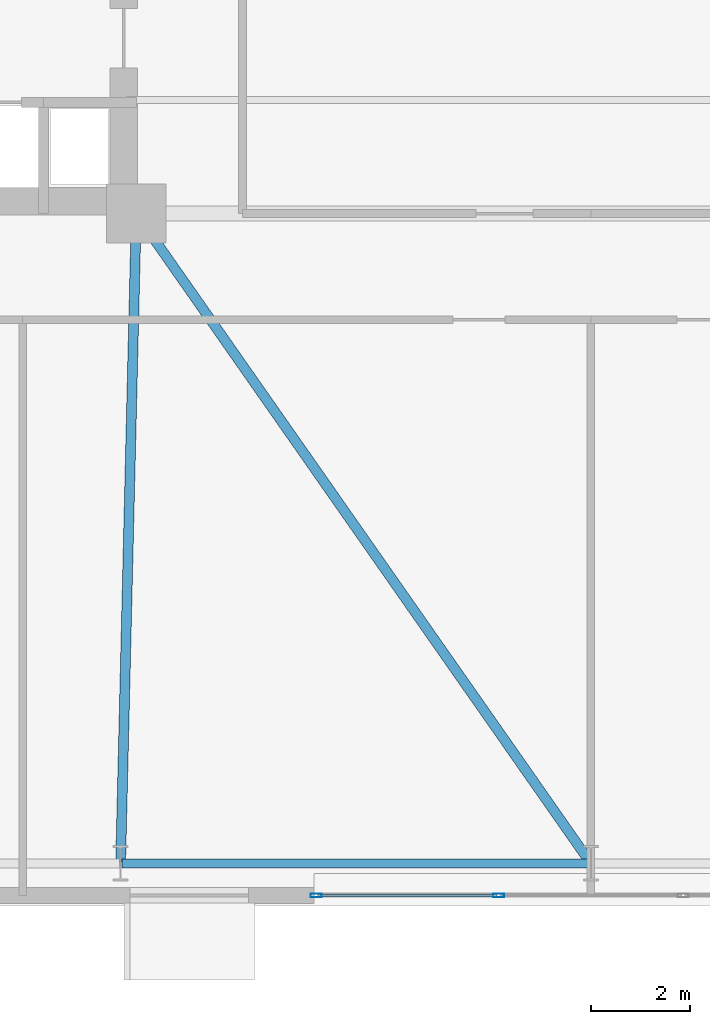
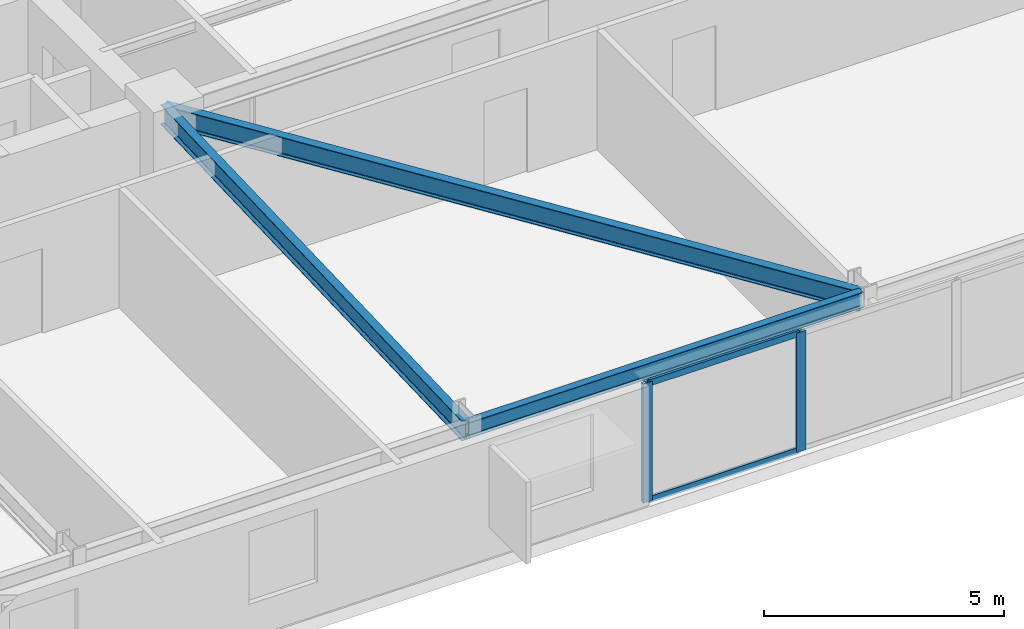
# One storey, part 6 of 24: 4 members, 3 beams, 1 element without a shape of its own.
"""IFC4 building model written with IfcOpenShell, lengths in metres."""

from ifc_helpers import new_model, si_unit, direction, frame, origin, origin_2d, place, context, subcontext, project, spatial, hollow_rectangle, i_section, extrude, material, layer, layer_set, material_profile, profile_set, type_object, element, aggregate, save


model = new_model("IFC4")

# Units and contexts
model_context = context("Model", 3, precision=1e-05, world=origin(), true_north=direction((0.0, 1.0)))
body_context = subcontext(model_context, "Body", "Model", "MODEL_VIEW")
ifc_project = project(units=[si_unit("LENGTHUNIT", "METRE"), si_unit("AREAUNIT", "SQUARE_METRE"), si_unit("VOLUMEUNIT", "CUBIC_METRE"), si_unit("PLANEANGLEUNIT", "RADIAN"), si_unit("MASSUNIT", "GRAM", prefix="KILO")], contexts=[model_context])

# Site, building, storey
site_placement = place(None, origin())
site = spatial("IfcSite", under=ifc_project, at=site_placement, CompositionType="ELEMENT")
building_placement = place(site_placement, origin())
building = spatial("IfcBuilding", under=site, at=building_placement, Name="Qobustan Lattice House", CompositionType="ELEMENT")
storey_placement = place(building_placement, frame((0.0, 0.0, 43.75)))
storey = spatial("IfcBuildingStorey", under=building, at=storey_placement, Name="L11", CompositionType="ELEMENT", Elevation=43.75)

# Beams
ifc_material_1 = material(Name="Steel S355", Category="steel")
ifc_material_profile_1 = material_profile(ifc_material_1, i_section(OverallWidth=0.199951171875, OverallDepth=0.5, WebThickness=0.01025390625, FlangeThickness=0.01611328125, FilletRadius=0.02099609375, at=origin_2d()), Name="IPE500")
ifc_profile_set_1 = profile_set([ifc_material_profile_1], Name="Steel S355")
beam_type_1 = type_object("IfcBeamType", Name="BM-FLG-IPE500", PredefinedType="USERDEFINED", material=ifc_profile_set_1)
beam_1_placement = place(storey_placement, frame((-9.51611328125, -18.72509765625, 2.784912109375), z_axis=(0.024071445657, 0.999710240772, 0.0), x_axis=(-0.999710240772, 0.024071445657, 0.0)))
element("IfcBeam", 1, at=beam_1_placement, inside=storey, type_object=beam_type_1, Name="L11 primary floor girder RAD-S3", ObjectType="GIRDER", PredefinedType="USERDEFINED", context=body_context, shape_type="SweptSolid", body=[
    extrude(i_section(OverallWidth=0.199951171875, OverallDepth=0.5, WebThickness=0.01025390625, FlangeThickness=0.01611328125, FilletRadius=0.02099609375, at=origin_2d()), origin(), (0.0, 0.0, 1.0), 13.10400390625),
])
beam_2_placement = place(storey_placement, frame((-0.014404296875, -18.7294921875, 2.784912109375), z_axis=(-0.57325954206, 0.819373844736, 0.0), x_axis=(-0.819373844736, -0.57325954206, 0.0)))
element("IfcBeam", 2, at=beam_2_placement, inside=storey, type_object=beam_type_1, Name="L11 primary floor girder RAD-S4", ObjectType="GIRDER", PredefinedType="USERDEFINED", context=body_context, shape_type="SweptSolid", body=[
    extrude(i_section(OverallWidth=0.199951171875, OverallDepth=0.5, WebThickness=0.01025390625, FlangeThickness=0.01611328125, FilletRadius=0.02099609375, at=origin_2d()), origin(), (0.0, 0.0, 1.0), 15.998779296875),
])
ifc_material_2 = material(Name="Steel S355", Category="steel")
ifc_material_profile_2 = material_profile(ifc_material_2, i_section(OverallWidth=0.179931640625, OverallDepth=0.39990234375, WebThickness=0.008544921875, FlangeThickness=0.013427734375, FilletRadius=0.02099609375, at=origin_2d()), Name="IPE400")
ifc_profile_set_2 = profile_set([ifc_material_profile_2], Name="Steel S355")
beam_type_2 = type_object("IfcBeamType", Name="BM-SPD-IPE400", PredefinedType="SPANDREL", material=ifc_profile_set_2)
beam_3_placement = place(storey_placement, frame((-9.49169921875, -18.75, 2.8349609375), z_axis=(1.0, 0.0, 0.0), x_axis=(0.0, 1.0, 0.0)))
element("IfcBeam", 3, at=beam_3_placement, inside=storey, type_object=beam_type_2, Name="L11 perimeter spandrel S3-S4", PredefinedType="SPANDREL", context=body_context, shape_type="SweptSolid", body=[
    extrude(i_section(OverallWidth=0.179931640625, OverallDepth=0.39990234375, WebThickness=0.008544921875, FlangeThickness=0.013427734375, FilletRadius=0.02099609375, at=origin_2d()), origin(), (0.0, 0.0, 1.0), 9.466796875),
])

# Curtain wall, members
ifc_material_3 = material(Name="Anodised aluminium and low-E glazing", Category="aluminium")
ifc_layer = layer(ifc_material_3, 0.219970703125)
ifc_layer_set = layer_set([ifc_layer], Name="Anodised aluminium and low-E glazing")
curtain_wall_type = type_object("IfcCurtainWallType", Name="CW-IWN-01", PredefinedType="USERDEFINED", material=ifc_layer_set)
curtain_wall_placement = place(storey_placement, origin())
curtain_wall = element("IfcCurtainWall", 4, at=curtain_wall_placement, inside=storey, type_object=curtain_wall_type, Name="L11 IWAN-1 walnut-lined iwan curtain wall", ObjectType="CURTAIN WALL", PredefinedType="USERDEFINED")
ifc_material_4 = material(Name="Anodised aluminium EN AW-6063 T6", Category="aluminium")
ifc_material_profile_3 = material_profile(ifc_material_4, hollow_rectangle(XDim=0.080078125, YDim=0.219970703125, WallThickness=0.0048828125, at=origin_2d()), Name="CWM-220x80")
ifc_profile_set_3 = profile_set([ifc_material_profile_3], Name="Anodised aluminium EN AW-6063 T6")
member_type_1 = type_object("IfcMemberType", Name="CWM-MAIN-220", PredefinedType="MULLION", material=ifc_profile_set_3)
member_1_placement = place(storey_placement, frame((-1.86669921875, -19.39990234375, 0.0), z_axis=(0.0, 0.0, 1.0), x_axis=(0.0, -1.0, 0.0)))
member_1 = element("IfcMember", 5, at=member_1_placement, type_object=member_type_1, Name="CW-IW mullion 3", PredefinedType="MULLION", context=body_context, shape_type="SweptSolid", body=[
    extrude(hollow_rectangle(XDim=0.080078125, YDim=0.219970703125, WallThickness=0.0048828125, at=origin_2d()), origin(), (0.0, 0.0, 1.0), 3.034912109375),
])
member_2_placement = place(storey_placement, frame((-5.56005859375, -19.39990234375, 0.0), z_axis=(0.0, 0.0, 1.0), x_axis=(0.0, -1.0, 0.0)))
member_2 = element("IfcMember", 6, at=member_2_placement, type_object=member_type_1, Name="CW-IW mullion 4", PredefinedType="MULLION", context=body_context, shape_type="SweptSolid", body=[
    extrude(hollow_rectangle(XDim=0.080078125, YDim=0.219970703125, WallThickness=0.0048828125, at=origin_2d()), origin(), (0.0, 0.0, 1.0), 3.034912109375),
])
ifc_material_5 = material(Name="Anodised aluminium EN AW-6063 T6", Category="aluminium")
ifc_material_profile_4 = material_profile(ifc_material_5, hollow_rectangle(XDim=0.06494140625, YDim=0.159912109375, WallThickness=0.00390625, at=origin_2d()), Name="CWT-160x65")
ifc_profile_set_4 = profile_set([ifc_material_profile_4], Name="Anodised aluminium EN AW-6063 T6")
member_type_2 = type_object("IfcMemberType", Name="CWT-HOR-160", PredefinedType="USERDEFINED", material=ifc_profile_set_4)
member_3_placement = place(storey_placement, frame((-1.90673828125, -19.39990234375, 0.032470703125), z_axis=(-1.0, 0.0, 0.0), x_axis=(0.0, -1.0, 0.0)))
member_3 = element("IfcMember", 7, at=member_3_placement, type_object=member_type_2, Name="CW-IW transom 3.1", ObjectType="TRANSOM", PredefinedType="USERDEFINED", context=body_context, shape_type="SweptSolid", body=[
    extrude(hollow_rectangle(XDim=0.06494140625, YDim=0.159912109375, WallThickness=0.00390625, at=origin_2d()), origin(), (0.0, 0.0, 1.0), 3.61328125),
])
member_4_placement = place(storey_placement, frame((-1.90673828125, -19.39990234375, 3.00244140625), z_axis=(-1.0, 0.0, 0.0), x_axis=(0.0, -1.0, 0.0)))
member_4 = element("IfcMember", 8, at=member_4_placement, type_object=member_type_2, Name="CW-IW transom 3.2", ObjectType="TRANSOM", PredefinedType="USERDEFINED", context=body_context, shape_type="SweptSolid", body=[
    extrude(hollow_rectangle(XDim=0.06494140625, YDim=0.159912109375, WallThickness=0.00390625, at=origin_2d()), origin(), (0.0, 0.0, 1.0), 3.61328125),
])
aggregate(curtain_wall, [member_1, member_2, member_3, member_4])

save(model, "model.ifc")
